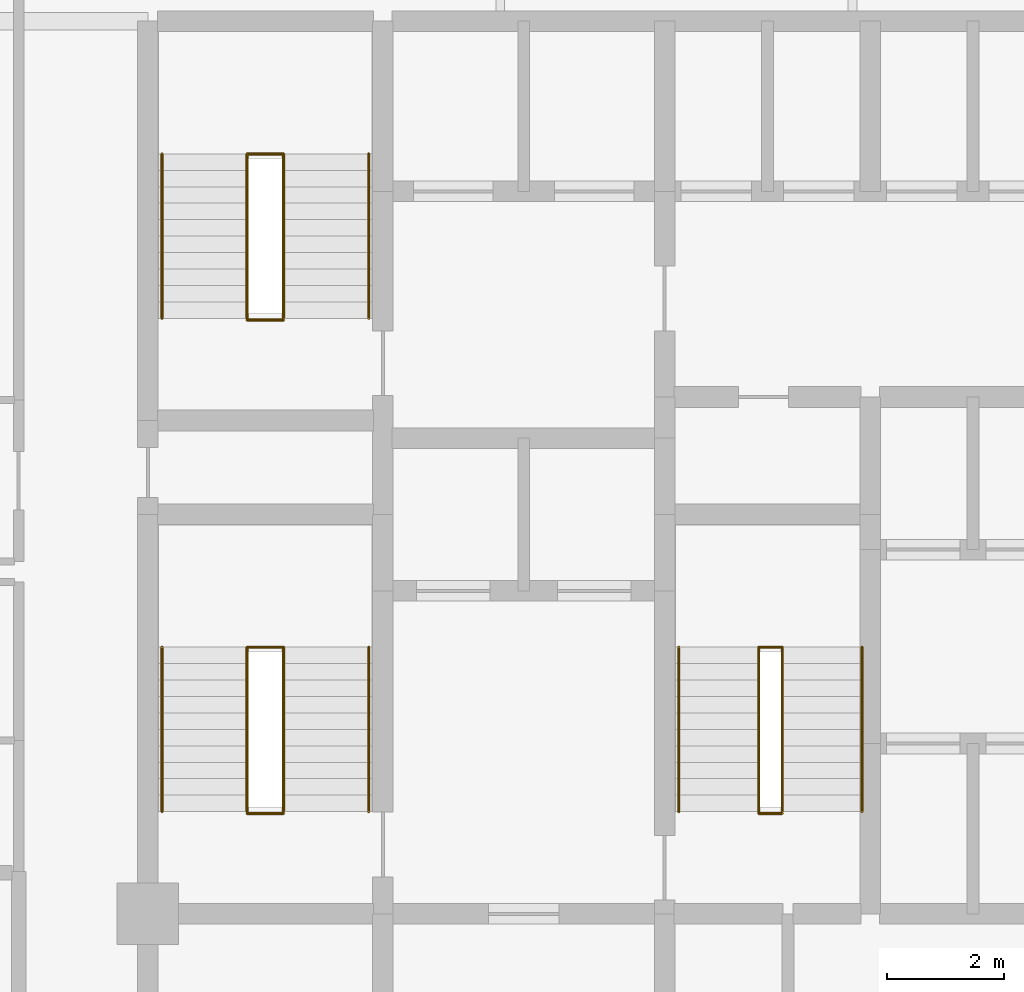
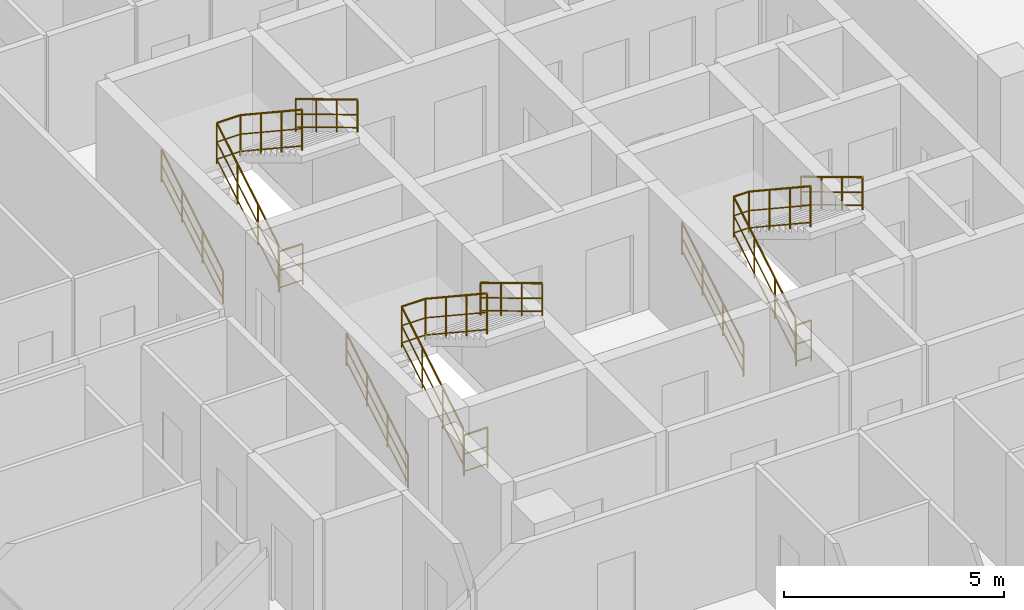
# One storey, part 30 of 30: 12 railings.
"""IFC4 building model written with IfcOpenShell, lengths in metres."""

from ifc_helpers import new_model, si_unit, direction, frame, origin, origin_2d, place, context, subcontext, project, spatial, circle, extrude, material, layer, layer_set, type_object, element, save


model = new_model("IFC4")

# Units and contexts
model_context = context("Model", 3, precision=1e-05, world=origin(), true_north=direction((0.0, 1.0)))
body_context = subcontext(model_context, "Body", "Model", "MODEL_VIEW")
ifc_project = project(units=[si_unit("LENGTHUNIT", "METRE"), si_unit("AREAUNIT", "SQUARE_METRE"), si_unit("VOLUMEUNIT", "CUBIC_METRE"), si_unit("PLANEANGLEUNIT", "RADIAN"), si_unit("MASSUNIT", "GRAM", prefix="KILO")], contexts=[model_context])

# Site, building, storey
site_placement = place(None, origin())
site = spatial("IfcSite", under=ifc_project, at=site_placement, CompositionType="ELEMENT")
building_placement = place(site_placement, origin())
building = spatial("IfcBuilding", under=site, at=building_placement, Name="Keshet Zoharim Tower", CompositionType="ELEMENT")
storey_placement = place(building_placement, frame((0.0, 0.0, 90.89990234375)))
storey = spatial("IfcBuildingStorey", under=building, at=storey_placement, Name="L21", CompositionType="ELEMENT", Elevation=90.89990234375)

# Railings
ifc_material = material(Name="Steel S355", Category="steel")
ifc_layer_1 = layer(ifc_material, 0.050048828125)
ifc_layer_set_1 = layer_set([ifc_layer_1], Name="Steel S355")
railing_type_1 = type_object("IfcRailingType", Name="RL-HND-092", PredefinedType="HANDRAIL", material=ifc_layer_set_1)
railing_1_placement = place(storey_placement, frame((15.239990234375, 24.43994140625, 0.168212890625)))
element("IfcRailing", 1, at=railing_1_placement, inside=storey, type_object=railing_type_1, Name="L21 ST-01 Flight 1 Wall Handrail", PredefinedType="HANDRAIL", context=body_context, shape_type="SweptSolid", body=[
    extrude(circle(Radius=0.02392578125, at=origin_2d()), frame((0.0, 0.0, 0.89599609375), z_axis=(0.0, 0.857242210791, 0.514913383045), x_axis=(-1.0, 0.0, 0.0)), (0.0, 0.0, 1.0), 3.266357421875),
    extrude(circle(Radius=0.01611328125, at=origin_2d()), frame((0.0, 0.0, 0.478271484375), z_axis=(0.0, 0.857242210791, 0.514913383045), x_axis=(-1.0, 0.0, 0.0)), (0.0, 0.0, 1.0), 3.266357421875),
    extrude(circle(Radius=0.01611328125, at=origin_2d()), frame((0.0, 0.0, 0.1201171875), z_axis=(0.0, 0.857242210791, 0.514913383045), x_axis=(-1.0, 0.0, 0.0)), (0.0, 0.0, 1.0), 3.266357421875),
    extrude(circle(Radius=0.02099609375, at=origin_2d()), origin(), (0.0, 0.0, 1.0), 0.871826171875),
    extrude(circle(Radius=0.02099609375, at=origin_2d()), frame((0.0, 0.933349609375, 0.560546875)), (0.0, 0.0, 1.0), 0.871826171875),
    extrude(circle(Radius=0.02099609375, at=origin_2d()), frame((0.0, 1.86669921875, 1.121337890625)), (0.0, 0.0, 1.0), 0.871826171875),
    extrude(circle(Radius=0.02099609375, at=origin_2d()), frame((0.0, 2.800048828125, 1.681884765625)), (0.0, 0.0, 1.0), 0.871826171875),
])
railing_2_placement = place(storey_placement, frame((18.760009765625, 27.239990234375, 2.018310546875)))
element("IfcRailing", 2, at=railing_2_placement, inside=storey, type_object=railing_type_1, Name="L21 ST-01 Flight 2 Wall Handrail", PredefinedType="HANDRAIL", context=body_context, shape_type="SweptSolid", body=[
    extrude(circle(Radius=0.02392578125, at=origin_2d()), frame((0.0, 0.0, 0.89599609375), z_axis=(0.0, -0.857242210791, 0.514913383045), x_axis=(1.0, 0.0, 0.0)), (0.0, 0.0, 1.0), 3.266357421875),
    extrude(circle(Radius=0.01611328125, at=origin_2d()), frame((0.0, 0.0, 0.478271484375), z_axis=(0.0, -0.857242210791, 0.514913383045), x_axis=(1.0, 0.0, 0.0)), (0.0, 0.0, 1.0), 3.266357421875),
    extrude(circle(Radius=0.01611328125, at=origin_2d()), frame((0.0, 0.0, 0.1201171875), z_axis=(0.0, -0.857242210791, 0.514913383045), x_axis=(1.0, 0.0, 0.0)), (0.0, 0.0, 1.0), 3.266357421875),
    extrude(circle(Radius=0.02099609375, at=origin_2d()), origin(), (0.0, 0.0, 1.0), 0.871826171875),
    extrude(circle(Radius=0.02099609375, at=origin_2d()), frame((0.0, -0.933349609375, 0.560546875)), (0.0, 0.0, 1.0), 0.871826171875),
    extrude(circle(Radius=0.02099609375, at=origin_2d()), frame((0.0, -1.86669921875, 1.121337890625)), (0.0, 0.0, 1.0), 0.871826171875),
    extrude(circle(Radius=0.02099609375, at=origin_2d()), frame((0.0, -2.800048828125, 1.681884765625)), (0.0, 0.0, 1.0), 0.871826171875),
])
railing_3_placement = place(storey_placement, frame((15.239990234375, 32.840087890625, 0.168212890625)))
element("IfcRailing", 3, at=railing_3_placement, inside=storey, type_object=railing_type_1, Name="L21 ST-02 Flight 1 Wall Handrail", PredefinedType="HANDRAIL", context=body_context, shape_type="SweptSolid", body=[
    extrude(circle(Radius=0.02392578125, at=origin_2d()), frame((0.0, 0.0, 0.89599609375), z_axis=(0.0, 0.857222391501, 0.514946377315), x_axis=(-1.0, 0.0, 0.0)), (0.0, 0.0, 1.0), 3.26611328125),
    extrude(circle(Radius=0.01611328125, at=origin_2d()), frame((0.0, 0.0, 0.478271484375), z_axis=(0.0, 0.857222391501, 0.514946377315), x_axis=(-1.0, 0.0, 0.0)), (0.0, 0.0, 1.0), 3.26611328125),
    extrude(circle(Radius=0.01611328125, at=origin_2d()), frame((0.0, 0.0, 0.1201171875), z_axis=(0.0, 0.857222391501, 0.514946377315), x_axis=(-1.0, 0.0, 0.0)), (0.0, 0.0, 1.0), 3.26611328125),
    extrude(circle(Radius=0.02099609375, at=origin_2d()), origin(), (0.0, 0.0, 1.0), 0.871826171875),
    extrude(circle(Radius=0.02099609375, at=origin_2d()), frame((0.0, 0.933349609375, 0.560546875)), (0.0, 0.0, 1.0), 0.871826171875),
    extrude(circle(Radius=0.02099609375, at=origin_2d()), frame((0.0, 1.866455078125, 1.121337890625)), (0.0, 0.0, 1.0), 0.871826171875),
    extrude(circle(Radius=0.02099609375, at=origin_2d()), frame((0.0, 2.7998046875, 1.681884765625)), (0.0, 0.0, 1.0), 0.871826171875),
])
railing_4_placement = place(storey_placement, frame((18.760009765625, 35.639892578125, 2.018310546875)))
element("IfcRailing", 4, at=railing_4_placement, inside=storey, type_object=railing_type_1, Name="L21 ST-02 Flight 2 Wall Handrail", PredefinedType="HANDRAIL", context=body_context, shape_type="SweptSolid", body=[
    extrude(circle(Radius=0.02392578125, at=origin_2d()), frame((0.0, 0.0, 0.89599609375), z_axis=(0.0, -0.857222391501, 0.514946377315), x_axis=(1.0, 0.0, 0.0)), (0.0, 0.0, 1.0), 3.26611328125),
    extrude(circle(Radius=0.01611328125, at=origin_2d()), frame((0.0, 0.0, 0.478271484375), z_axis=(0.0, -0.857222391501, 0.514946377315), x_axis=(1.0, 0.0, 0.0)), (0.0, 0.0, 1.0), 3.26611328125),
    extrude(circle(Radius=0.01611328125, at=origin_2d()), frame((0.0, 0.0, 0.1201171875), z_axis=(0.0, -0.857222391501, 0.514946377315), x_axis=(1.0, 0.0, 0.0)), (0.0, 0.0, 1.0), 3.26611328125),
    extrude(circle(Radius=0.02099609375, at=origin_2d()), origin(), (0.0, 0.0, 1.0), 0.871826171875),
    extrude(circle(Radius=0.02099609375, at=origin_2d()), frame((0.0, -0.933349609375, 0.560546875)), (0.0, 0.0, 1.0), 0.871826171875),
    extrude(circle(Radius=0.02099609375, at=origin_2d()), frame((0.0, -1.866455078125, 1.121337890625)), (0.0, 0.0, 1.0), 0.871826171875),
    extrude(circle(Radius=0.02099609375, at=origin_2d()), frame((0.0, -2.7998046875, 1.681884765625)), (0.0, 0.0, 1.0), 0.871826171875),
])
railing_5_placement = place(storey_placement, frame((24.0400390625, 24.43994140625, 0.168212890625)))
element("IfcRailing", 5, at=railing_5_placement, inside=storey, type_object=railing_type_1, Name="L21 ST-03 Flight 1 Wall Handrail", PredefinedType="HANDRAIL", context=body_context, shape_type="SweptSolid", body=[
    extrude(circle(Radius=0.02392578125, at=origin_2d()), frame((0.0, 0.0, 0.89599609375), z_axis=(0.0, 0.857242210791, 0.514913383045), x_axis=(-1.0, 0.0, 0.0)), (0.0, 0.0, 1.0), 3.266357421875),
    extrude(circle(Radius=0.01611328125, at=origin_2d()), frame((0.0, 0.0, 0.478271484375), z_axis=(0.0, 0.857242210791, 0.514913383045), x_axis=(-1.0, 0.0, 0.0)), (0.0, 0.0, 1.0), 3.266357421875),
    extrude(circle(Radius=0.01611328125, at=origin_2d()), frame((0.0, 0.0, 0.1201171875), z_axis=(0.0, 0.857242210791, 0.514913383045), x_axis=(-1.0, 0.0, 0.0)), (0.0, 0.0, 1.0), 3.266357421875),
    extrude(circle(Radius=0.02099609375, at=origin_2d()), origin(), (0.0, 0.0, 1.0), 0.871826171875),
    extrude(circle(Radius=0.02099609375, at=origin_2d()), frame((0.0, 0.933349609375, 0.560546875)), (0.0, 0.0, 1.0), 0.871826171875),
    extrude(circle(Radius=0.02099609375, at=origin_2d()), frame((0.0, 1.86669921875, 1.121337890625)), (0.0, 0.0, 1.0), 0.871826171875),
    extrude(circle(Radius=0.02099609375, at=origin_2d()), frame((0.0, 2.800048828125, 1.681884765625)), (0.0, 0.0, 1.0), 0.871826171875),
])
railing_6_placement = place(storey_placement, frame((27.159912109375, 27.239990234375, 2.018310546875)))
element("IfcRailing", 6, at=railing_6_placement, inside=storey, type_object=railing_type_1, Name="L21 ST-03 Flight 2 Wall Handrail", PredefinedType="HANDRAIL", context=body_context, shape_type="SweptSolid", body=[
    extrude(circle(Radius=0.02392578125, at=origin_2d()), frame((0.0, 0.0, 0.89599609375), z_axis=(0.0, -0.857242210791, 0.514913383045), x_axis=(1.0, 0.0, 0.0)), (0.0, 0.0, 1.0), 3.266357421875),
    extrude(circle(Radius=0.01611328125, at=origin_2d()), frame((0.0, 0.0, 0.478271484375), z_axis=(0.0, -0.857242210791, 0.514913383045), x_axis=(1.0, 0.0, 0.0)), (0.0, 0.0, 1.0), 3.266357421875),
    extrude(circle(Radius=0.01611328125, at=origin_2d()), frame((0.0, 0.0, 0.1201171875), z_axis=(0.0, -0.857242210791, 0.514913383045), x_axis=(1.0, 0.0, 0.0)), (0.0, 0.0, 1.0), 3.266357421875),
    extrude(circle(Radius=0.02099609375, at=origin_2d()), origin(), (0.0, 0.0, 1.0), 0.871826171875),
    extrude(circle(Radius=0.02099609375, at=origin_2d()), frame((0.0, -0.933349609375, 0.560546875)), (0.0, 0.0, 1.0), 0.871826171875),
    extrude(circle(Radius=0.02099609375, at=origin_2d()), frame((0.0, -1.86669921875, 1.121337890625)), (0.0, 0.0, 1.0), 0.871826171875),
    extrude(circle(Radius=0.02099609375, at=origin_2d()), frame((0.0, -2.800048828125, 1.681884765625)), (0.0, 0.0, 1.0), 0.871826171875),
])
ifc_layer_2 = layer(ifc_material, 0.06005859375)
ifc_layer_set_2 = layer_set([ifc_layer_2], Name="Steel S355")
railing_type_2 = type_object("IfcRailingType", Name="RL-STG-115", PredefinedType="GUARDRAIL", material=ifc_layer_set_2)
railing_7_placement = place(storey_placement, frame((16.68994140625, 24.43994140625, 0.168212890625)))
element("IfcRailing", 7, at=railing_7_placement, inside=storey, type_object=railing_type_2, Name="L21 ST-01 Inner Well Guardrail", PredefinedType="GUARDRAIL", context=body_context, shape_type="SweptSolid", body=[
    extrude(circle(Radius=0.02392578125, at=origin_2d()), frame((0.0, 0.0, 1.1259765625), z_axis=(0.0, 0.857242210791, 0.514913383045), x_axis=(-1.0, 0.0, 0.0)), (0.0, 0.0, 1.0), 3.266357421875),
    extrude(circle(Radius=0.01611328125, at=origin_2d()), frame((0.0, 0.0, 0.597900390625), z_axis=(0.0, 0.857242210791, 0.514913383045), x_axis=(-1.0, 0.0, 0.0)), (0.0, 0.0, 1.0), 3.266357421875),
    extrude(circle(Radius=0.01611328125, at=origin_2d()), frame((0.0, 0.0, 0.1201171875), z_axis=(0.0, 0.857242210791, 0.514913383045), x_axis=(-1.0, 0.0, 0.0)), (0.0, 0.0, 1.0), 3.266357421875),
    extrude(circle(Radius=0.02392578125, at=origin_2d()), frame((0.0, 2.800048828125, 2.8076171875), z_axis=(1.0, 0.0, 0.0), x_axis=(0.0, 1.0, 0.0)), (0.0, 0.0, 1.0), 0.6201171875),
    extrude(circle(Radius=0.01611328125, at=origin_2d()), frame((0.0, 2.800048828125, 2.27978515625), z_axis=(1.0, 0.0, 0.0), x_axis=(0.0, 1.0, 0.0)), (0.0, 0.0, 1.0), 0.6201171875),
    extrude(circle(Radius=0.01611328125, at=origin_2d()), frame((0.0, 2.800048828125, 1.802001953125), z_axis=(1.0, 0.0, 0.0), x_axis=(0.0, 1.0, 0.0)), (0.0, 0.0, 1.0), 0.6201171875),
    extrude(circle(Radius=0.02392578125, at=origin_2d()), frame((0.6201171875, 2.800048828125, 2.8076171875), z_axis=(0.0, -0.834326358476, 0.551270829586), x_axis=(1.0, 0.0, 0.0)), (0.0, 0.0, 1.0), 3.35595703125),
    extrude(circle(Radius=0.01611328125, at=origin_2d()), frame((0.6201171875, 2.800048828125, 2.27978515625), z_axis=(0.0, -0.834326358476, 0.551270829586), x_axis=(1.0, 0.0, 0.0)), (0.0, 0.0, 1.0), 3.35595703125),
    extrude(circle(Radius=0.01611328125, at=origin_2d()), frame((0.6201171875, 2.800048828125, 1.802001953125), z_axis=(0.0, -0.834326358476, 0.551270829586), x_axis=(1.0, 0.0, 0.0)), (0.0, 0.0, 1.0), 3.35595703125),
    extrude(circle(Radius=0.02099609375, at=origin_2d()), origin(), (0.0, 0.0, 1.0), 1.101806640625),
    extrude(circle(Radius=0.02099609375, at=origin_2d()), frame((0.0, 0.933349609375, 0.560546875)), (0.0, 0.0, 1.0), 1.101806640625),
    extrude(circle(Radius=0.02099609375, at=origin_2d()), frame((0.0, 1.86669921875, 1.121337890625)), (0.0, 0.0, 1.0), 1.101806640625),
    extrude(circle(Radius=0.02099609375, at=origin_2d()), frame((0.0, 2.800048828125, 1.681884765625)), (0.0, 0.0, 1.0), 1.101806640625),
    extrude(circle(Radius=0.02099609375, at=origin_2d()), frame((0.6201171875, 2.800048828125, 1.681884765625)), (0.0, 0.0, 1.0), 1.101806640625),
    extrude(circle(Radius=0.02099609375, at=origin_2d()), frame((0.6201171875, 1.86669921875, 2.298583984375)), (0.0, 0.0, 1.0), 1.101806640625),
    extrude(circle(Radius=0.02099609375, at=origin_2d()), frame((0.6201171875, 0.933349609375, 2.915283203125)), (0.0, 0.0, 1.0), 1.101806640625),
    extrude(circle(Radius=0.02099609375, at=origin_2d()), frame((0.6201171875, 0.0, 3.531982421875)), (0.0, 0.0, 1.0), 1.101806640625),
])
railing_8_placement = place(storey_placement, frame((16.68994140625, 24.409912109375, 0.0)))
element("IfcRailing", 8, at=railing_8_placement, inside=storey, type_object=railing_type_2, Name="L21 ST-01 Stairwell Floor Guardrail", PredefinedType="GUARDRAIL", context=body_context, shape_type="SweptSolid", body=[
    extrude(circle(Radius=0.02392578125, at=origin_2d()), frame((0.0, 0.0, 1.1259765625), z_axis=(1.0, 0.0, 0.0), x_axis=(0.0, 1.0, 0.0)), (0.0, 0.0, 1.0), 0.6201171875),
    extrude(circle(Radius=0.01611328125, at=origin_2d()), frame((0.0, 0.0, 0.597900390625), z_axis=(1.0, 0.0, 0.0), x_axis=(0.0, 1.0, 0.0)), (0.0, 0.0, 1.0), 0.6201171875),
    extrude(circle(Radius=0.01611328125, at=origin_2d()), frame((0.0, 0.0, 0.1201171875), z_axis=(1.0, 0.0, 0.0), x_axis=(0.0, 1.0, 0.0)), (0.0, 0.0, 1.0), 0.6201171875),
    extrude(circle(Radius=0.02099609375, at=origin_2d()), origin(), (0.0, 0.0, 1.0), 1.101806640625),
    extrude(circle(Radius=0.02099609375, at=origin_2d()), frame((0.6201171875, 0.0, 0.0)), (0.0, 0.0, 1.0), 1.101806640625),
])
railing_9_placement = place(storey_placement, frame((16.68994140625, 32.840087890625, 0.168212890625)))
element("IfcRailing", 9, at=railing_9_placement, inside=storey, type_object=railing_type_2, Name="L21 ST-02 Inner Well Guardrail", PredefinedType="GUARDRAIL", context=body_context, shape_type="SweptSolid", body=[
    extrude(circle(Radius=0.02392578125, at=origin_2d()), frame((0.0, 0.0, 1.1259765625), z_axis=(0.0, 0.857222391501, 0.514946377315), x_axis=(-1.0, 0.0, 0.0)), (0.0, 0.0, 1.0), 3.26611328125),
    extrude(circle(Radius=0.01611328125, at=origin_2d()), frame((0.0, 0.0, 0.597900390625), z_axis=(0.0, 0.857222391501, 0.514946377315), x_axis=(-1.0, 0.0, 0.0)), (0.0, 0.0, 1.0), 3.26611328125),
    extrude(circle(Radius=0.01611328125, at=origin_2d()), frame((0.0, 0.0, 0.1201171875), z_axis=(0.0, 0.857222391501, 0.514946377315), x_axis=(-1.0, 0.0, 0.0)), (0.0, 0.0, 1.0), 3.26611328125),
    extrude(circle(Radius=0.02392578125, at=origin_2d()), frame((0.0, 2.7998046875, 2.8076171875), z_axis=(1.0, 0.0, 0.0), x_axis=(0.0, 1.0, 0.0)), (0.0, 0.0, 1.0), 0.6201171875),
    extrude(circle(Radius=0.01611328125, at=origin_2d()), frame((0.0, 2.7998046875, 2.27978515625), z_axis=(1.0, 0.0, 0.0), x_axis=(0.0, 1.0, 0.0)), (0.0, 0.0, 1.0), 0.6201171875),
    extrude(circle(Radius=0.01611328125, at=origin_2d()), frame((0.0, 2.7998046875, 1.802001953125), z_axis=(1.0, 0.0, 0.0), x_axis=(0.0, 1.0, 0.0)), (0.0, 0.0, 1.0), 0.6201171875),
    extrude(circle(Radius=0.02392578125, at=origin_2d()), frame((0.6201171875, 2.7998046875, 2.8076171875), z_axis=(0.0, -0.834304248922, 0.551304290053), x_axis=(1.0, 0.0, 0.0)), (0.0, 0.0, 1.0), 3.35595703125),
    extrude(circle(Radius=0.01611328125, at=origin_2d()), frame((0.6201171875, 2.7998046875, 2.27978515625), z_axis=(0.0, -0.834304248922, 0.551304290053), x_axis=(1.0, 0.0, 0.0)), (0.0, 0.0, 1.0), 3.35595703125),
    extrude(circle(Radius=0.01611328125, at=origin_2d()), frame((0.6201171875, 2.7998046875, 1.802001953125), z_axis=(0.0, -0.834304248922, 0.551304290053), x_axis=(1.0, 0.0, 0.0)), (0.0, 0.0, 1.0), 3.35595703125),
    extrude(circle(Radius=0.02099609375, at=origin_2d()), origin(), (0.0, 0.0, 1.0), 1.101806640625),
    extrude(circle(Radius=0.02099609375, at=origin_2d()), frame((0.0, 0.933349609375, 0.560546875)), (0.0, 0.0, 1.0), 1.101806640625),
    extrude(circle(Radius=0.02099609375, at=origin_2d()), frame((0.0, 1.866455078125, 1.121337890625)), (0.0, 0.0, 1.0), 1.101806640625),
    extrude(circle(Radius=0.02099609375, at=origin_2d()), frame((0.0, 2.7998046875, 1.681884765625)), (0.0, 0.0, 1.0), 1.101806640625),
    extrude(circle(Radius=0.02099609375, at=origin_2d()), frame((0.6201171875, 2.7998046875, 1.681884765625)), (0.0, 0.0, 1.0), 1.101806640625),
    extrude(circle(Radius=0.02099609375, at=origin_2d()), frame((0.6201171875, 1.866455078125, 2.298583984375)), (0.0, 0.0, 1.0), 1.101806640625),
    extrude(circle(Radius=0.02099609375, at=origin_2d()), frame((0.6201171875, 0.933349609375, 2.915283203125)), (0.0, 0.0, 1.0), 1.101806640625),
    extrude(circle(Radius=0.02099609375, at=origin_2d()), frame((0.6201171875, 0.0, 3.531982421875)), (0.0, 0.0, 1.0), 1.101806640625),
])
railing_10_placement = place(storey_placement, frame((16.68994140625, 32.81005859375, 0.0)))
element("IfcRailing", 10, at=railing_10_placement, inside=storey, type_object=railing_type_2, Name="L21 ST-02 Stairwell Floor Guardrail", PredefinedType="GUARDRAIL", context=body_context, shape_type="SweptSolid", body=[
    extrude(circle(Radius=0.02392578125, at=origin_2d()), frame((0.0, 0.0, 1.1259765625), z_axis=(1.0, 0.0, 0.0), x_axis=(0.0, 1.0, 0.0)), (0.0, 0.0, 1.0), 0.6201171875),
    extrude(circle(Radius=0.01611328125, at=origin_2d()), frame((0.0, 0.0, 0.597900390625), z_axis=(1.0, 0.0, 0.0), x_axis=(0.0, 1.0, 0.0)), (0.0, 0.0, 1.0), 0.6201171875),
    extrude(circle(Radius=0.01611328125, at=origin_2d()), frame((0.0, 0.0, 0.1201171875), z_axis=(1.0, 0.0, 0.0), x_axis=(0.0, 1.0, 0.0)), (0.0, 0.0, 1.0), 0.6201171875),
    extrude(circle(Radius=0.02099609375, at=origin_2d()), origin(), (0.0, 0.0, 1.0), 1.101806640625),
    extrude(circle(Radius=0.02099609375, at=origin_2d()), frame((0.6201171875, 0.0, 0.0)), (0.0, 0.0, 1.0), 1.101806640625),
])
railing_11_placement = place(storey_placement, frame((25.39990234375, 24.43994140625, 0.168212890625)))
element("IfcRailing", 11, at=railing_11_placement, inside=storey, type_object=railing_type_2, Name="L21 ST-03 Inner Well Guardrail", PredefinedType="GUARDRAIL", context=body_context, shape_type="SweptSolid", body=[
    extrude(circle(Radius=0.02392578125, at=origin_2d()), frame((0.0, 0.0, 1.1259765625), z_axis=(0.0, 0.857242210791, 0.514913383045), x_axis=(-1.0, 0.0, 0.0)), (0.0, 0.0, 1.0), 3.266357421875),
    extrude(circle(Radius=0.01611328125, at=origin_2d()), frame((0.0, 0.0, 0.597900390625), z_axis=(0.0, 0.857242210791, 0.514913383045), x_axis=(-1.0, 0.0, 0.0)), (0.0, 0.0, 1.0), 3.266357421875),
    extrude(circle(Radius=0.01611328125, at=origin_2d()), frame((0.0, 0.0, 0.1201171875), z_axis=(0.0, 0.857242210791, 0.514913383045), x_axis=(-1.0, 0.0, 0.0)), (0.0, 0.0, 1.0), 3.266357421875),
    extrude(circle(Radius=0.02392578125, at=origin_2d()), frame((0.0, 2.800048828125, 2.8076171875), z_axis=(1.0, 0.0, 0.0), x_axis=(0.0, 1.0, 0.0)), (0.0, 0.0, 1.0), 0.400146484375),
    extrude(circle(Radius=0.01611328125, at=origin_2d()), frame((0.0, 2.800048828125, 2.27978515625), z_axis=(1.0, 0.0, 0.0), x_axis=(0.0, 1.0, 0.0)), (0.0, 0.0, 1.0), 0.400146484375),
    extrude(circle(Radius=0.01611328125, at=origin_2d()), frame((0.0, 2.800048828125, 1.802001953125), z_axis=(1.0, 0.0, 0.0), x_axis=(0.0, 1.0, 0.0)), (0.0, 0.0, 1.0), 0.400146484375),
    extrude(circle(Radius=0.02392578125, at=origin_2d()), frame((0.400146484375, 2.800048828125, 2.8076171875), z_axis=(0.0, -0.834326358476, 0.551270829586), x_axis=(1.0, 0.0, 0.0)), (0.0, 0.0, 1.0), 3.35595703125),
    extrude(circle(Radius=0.01611328125, at=origin_2d()), frame((0.400146484375, 2.800048828125, 2.27978515625), z_axis=(0.0, -0.834326358476, 0.551270829586), x_axis=(1.0, 0.0, 0.0)), (0.0, 0.0, 1.0), 3.35595703125),
    extrude(circle(Radius=0.01611328125, at=origin_2d()), frame((0.400146484375, 2.800048828125, 1.802001953125), z_axis=(0.0, -0.834326358476, 0.551270829586), x_axis=(1.0, 0.0, 0.0)), (0.0, 0.0, 1.0), 3.35595703125),
    extrude(circle(Radius=0.02099609375, at=origin_2d()), origin(), (0.0, 0.0, 1.0), 1.101806640625),
    extrude(circle(Radius=0.02099609375, at=origin_2d()), frame((0.0, 0.933349609375, 0.560546875)), (0.0, 0.0, 1.0), 1.101806640625),
    extrude(circle(Radius=0.02099609375, at=origin_2d()), frame((0.0, 1.86669921875, 1.121337890625)), (0.0, 0.0, 1.0), 1.101806640625),
    extrude(circle(Radius=0.02099609375, at=origin_2d()), frame((0.0, 2.800048828125, 1.681884765625)), (0.0, 0.0, 1.0), 1.101806640625),
    extrude(circle(Radius=0.02099609375, at=origin_2d()), frame((0.400146484375, 2.800048828125, 1.681884765625)), (0.0, 0.0, 1.0), 1.101806640625),
    extrude(circle(Radius=0.02099609375, at=origin_2d()), frame((0.400146484375, 1.86669921875, 2.298583984375)), (0.0, 0.0, 1.0), 1.101806640625),
    extrude(circle(Radius=0.02099609375, at=origin_2d()), frame((0.400146484375, 0.933349609375, 2.915283203125)), (0.0, 0.0, 1.0), 1.101806640625),
    extrude(circle(Radius=0.02099609375, at=origin_2d()), frame((0.400146484375, 0.0, 3.531982421875)), (0.0, 0.0, 1.0), 1.101806640625),
])
railing_12_placement = place(storey_placement, frame((25.39990234375, 24.409912109375, 0.0)))
element("IfcRailing", 12, at=railing_12_placement, inside=storey, type_object=railing_type_2, Name="L21 ST-03 Stairwell Floor Guardrail", PredefinedType="GUARDRAIL", context=body_context, shape_type="SweptSolid", body=[
    extrude(circle(Radius=0.02392578125, at=origin_2d()), frame((0.0, 0.0, 1.1259765625), z_axis=(1.0, 0.0, 0.0), x_axis=(0.0, 1.0, 0.0)), (0.0, 0.0, 1.0), 0.400146484375),
    extrude(circle(Radius=0.01611328125, at=origin_2d()), frame((0.0, 0.0, 0.597900390625), z_axis=(1.0, 0.0, 0.0), x_axis=(0.0, 1.0, 0.0)), (0.0, 0.0, 1.0), 0.400146484375),
    extrude(circle(Radius=0.01611328125, at=origin_2d()), frame((0.0, 0.0, 0.1201171875), z_axis=(1.0, 0.0, 0.0), x_axis=(0.0, 1.0, 0.0)), (0.0, 0.0, 1.0), 0.400146484375),
    extrude(circle(Radius=0.02099609375, at=origin_2d()), origin(), (0.0, 0.0, 1.0), 1.101806640625),
    extrude(circle(Radius=0.02099609375, at=origin_2d()), frame((0.400146484375, 0.0, 0.0)), (0.0, 0.0, 1.0), 1.101806640625),
])

save(model, "model.ifc")
